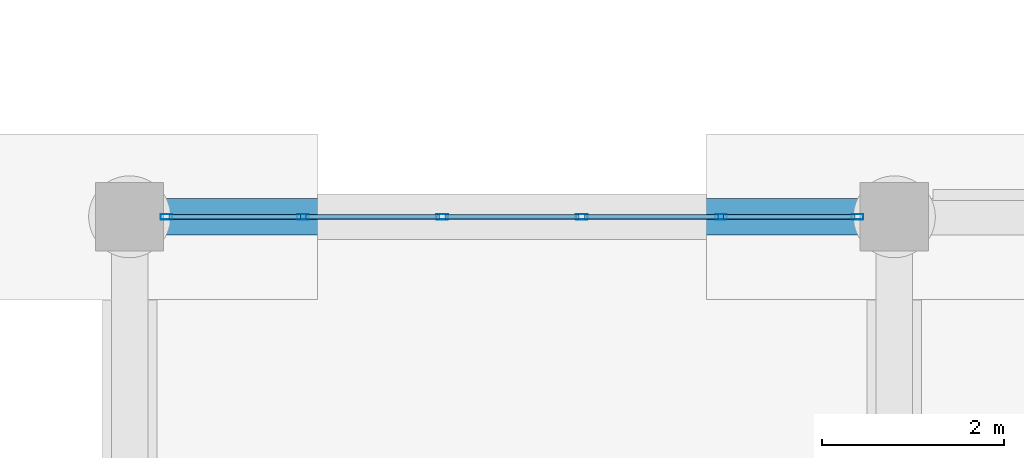
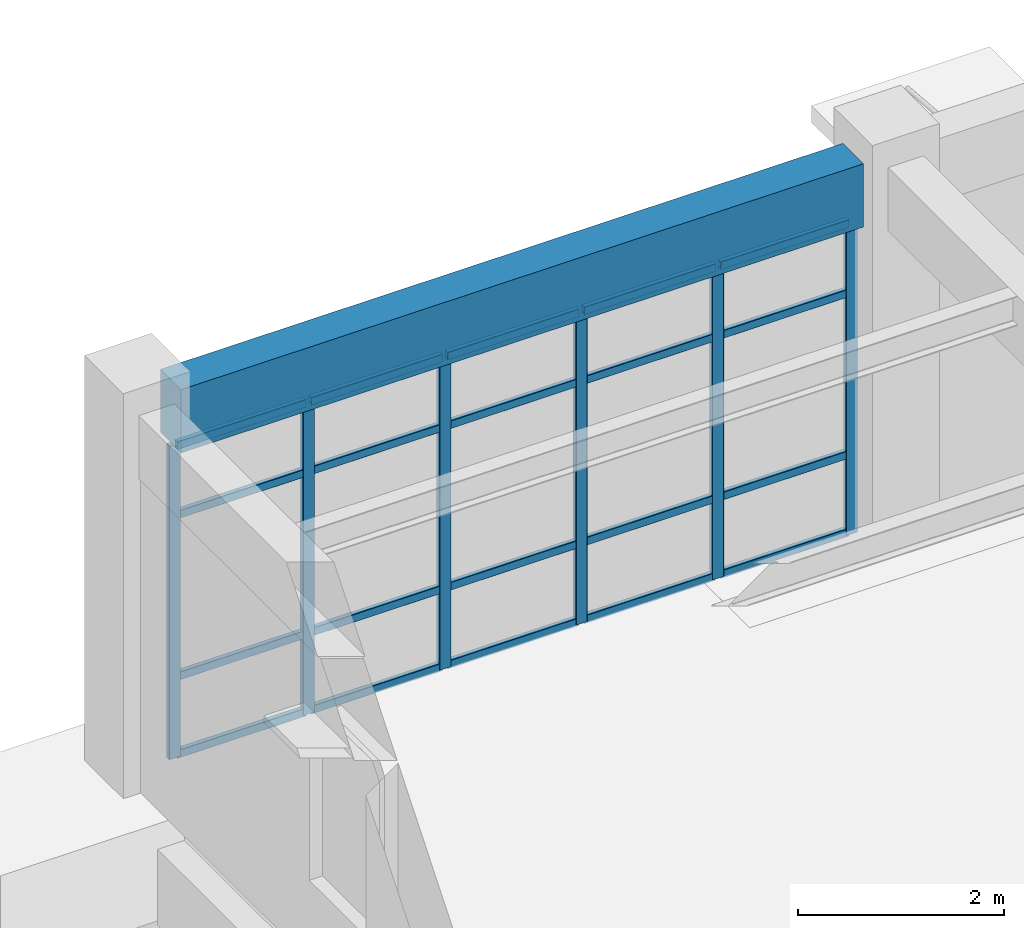
# One storey, part 4 of 29: 26 members, 1 beam, 1 element without a shape of its own.
"""IFC4 building model written with IfcOpenShell, lengths in metres."""

import ifcopenshell
import ifcopenshell.guid

model = None  # the IFC model being written
_history = None  # IfcOwnerHistory: only IFC2X3 demands one
_inside = {}  # id of a spatial element -> (the spatial element, [elements in it])
_under = {}  # id of a project, library or spatial element -> (it, [spatial elements below it])
_declared = {}  # id of a project -> (the project, [libraries it declares])
_typed = {}  # id of a type object -> (the type object, [elements of that type])
_made_of = {}  # id of a material, layer set ... -> (it, [elements and type objects made of it])


def new_model(schema):
    """Start an empty IFC model of exactly this schema.

    Asked for "IFC4X3", IfcOpenShell would pick the latest addendum, in which some entities
    have other attributes; the version numbers below select the first issue.
    IFC2X3 requires an IfcOwnerHistory on every rooted entity: one is made here for all.
    """
    global model, _history
    if schema == "IFC4X3":
        model = ifcopenshell.file(schema_version=(4, 3, 0, 0))
    else:
        model = ifcopenshell.file(schema=schema)
    _inside.clear()
    _under.clear()
    _declared.clear()
    _typed.clear()
    _made_of.clear()
    _history = None
    if model.schema == "IFC2X3":
        org = make("IfcOrganization", Name="unknown")
        user = make(
            "IfcPersonAndOrganization",
            ThePerson=make("IfcPerson", FamilyName="unknown"),
            TheOrganization=org,
        )
        app = make(
            "IfcApplication",
            ApplicationDeveloper=org,
            Version="unknown",
            ApplicationFullName="unknown",
            ApplicationIdentifier="unknown",
        )
        _history = make(
            "IfcOwnerHistory",
            OwningUser=user,
            OwningApplication=app,
            ChangeAction="ADDED",
            CreationDate=0,
        )
    return model


def make(cls, **values):
    """One entity of the class cls with the attributes given. An attribute that is None is left unset."""
    return model.create_entity(
        cls, **{name: value for name, value in values.items() if value is not None}
    )


def rooted(cls, **values):
    """An entity with a GlobalId (a new one), such as an element, a storey or a relation."""
    return make(cls, GlobalId=ifcopenshell.guid.new(), OwnerHistory=_history, **values)


def si_unit(unit_type, name, prefix=None):
    """IfcSIUnit, for example si_unit("LENGTHUNIT", "METRE", prefix="MILLI")."""
    return make("IfcSIUnit", UnitType=unit_type, Prefix=prefix, Name=name)


def assignment(units):
    """IfcUnitAssignment: the units of a project."""
    return None if units is None else make("IfcUnitAssignment", Units=units)


def point(xyz):
    """IfcCartesianPoint."""
    return None if xyz is None else make("IfcCartesianPoint", Coordinates=xyz)


def direction(xyz):
    """IfcDirection."""
    return None if xyz is None else make("IfcDirection", DirectionRatios=xyz)


def frame(location, z_axis=None, x_axis=None):
    """IfcAxis2Placement3D, a coordinate frame: its origin and axes. An axis left out is left unset."""
    return make(
        "IfcAxis2Placement3D",
        Location=point(location),
        Axis=direction(z_axis),
        RefDirection=direction(x_axis),
    )


def frame_2d(location, x_axis=None):
    """IfcAxis2Placement2D, a coordinate frame in the plane: its origin and x axis."""
    return make(
        "IfcAxis2Placement2D", Location=point(location), RefDirection=direction(x_axis)
    )


def origin():
    """The frame at (0, 0, 0) with its axes left unset."""
    return frame((0.0, 0.0, 0.0))


def origin_2d():
    """The frame at (0, 0) in the plane with its x axis left unset."""
    return frame_2d((0.0, 0.0))


def place(relative_to, where):
    """IfcLocalPlacement: puts the frame where relative to a parent placement (None: the world)."""
    return make(
        "IfcLocalPlacement", PlacementRelTo=relative_to, RelativePlacement=where
    )


def context(
    kind, dimensions, precision=None, world=None, true_north=None, identifier=None
):
    """IfcGeometricRepresentationContext, for example the 3D "Model" context."""
    return make(
        "IfcGeometricRepresentationContext",
        ContextIdentifier=identifier,
        ContextType=kind,
        CoordinateSpaceDimension=dimensions,
        Precision=precision,
        WorldCoordinateSystem=world,
        TrueNorth=true_north,
    )


def subcontext(parent, identifier, kind, view, scale=None):
    """IfcGeometricRepresentationSubContext, for example "Body" below "Model"."""
    return make(
        "IfcGeometricRepresentationSubContext",
        ContextIdentifier=identifier,
        ContextType=kind,
        ParentContext=parent,
        TargetScale=scale,
        TargetView=view,
    )


def project(units=None, contexts=None):
    """IfcProject with its units and contexts."""
    return rooted(
        "IfcProject",
        Name="project",
        RepresentationContexts=contexts,
        UnitsInContext=assignment(units),
    )


def spatial(cls, under=None, at=None, **own):
    """A site, building, storey or space (cls), placed at a placement, below another one or the project."""
    s = rooted(cls, ObjectPlacement=at, **own)
    if under is not None:
        _under.setdefault(under.id(), (under, []))[1].append(s)
    return s


def profile(cls, at=None, kind="AREA", **sizes):
    """A parametric profile (cls). Its sizes go by their IFC names, for example OverallWidth=200.0."""
    return make(cls, ProfileType=kind, Position=at, **sizes)


def rectangle(**sizes):
    """IfcRectangleProfileDef."""
    return profile("IfcRectangleProfileDef", **sizes)


def hollow_rectangle(**sizes):
    """IfcRectangleHollowProfileDef."""
    return profile("IfcRectangleHollowProfileDef", **sizes)


def extrude(swept, where, along, depth):
    """IfcExtrudedAreaSolid: the profile swept, set in the frame where, extruded along a direction by depth."""
    return make(
        "IfcExtrudedAreaSolid",
        SweptArea=swept,
        Position=where,
        ExtrudedDirection=direction(along),
        Depth=depth,
    )


def shape(context_of_items, identifier, shape_type, items):
    """IfcShapeRepresentation: the items that make up one representation, for example the "Body"."""
    return make(
        "IfcShapeRepresentation",
        ContextOfItems=context_of_items,
        RepresentationIdentifier=identifier,
        RepresentationType=shape_type,
        Items=items,
    )


def material(Name=None, Category=None):
    """IfcMaterial."""
    return make("IfcMaterial", Name=Name, Category=Category)


def material_profile(
    of_material, cross_section, Name=None, Category=None, Priority=None
):
    """IfcMaterialProfile: a cross section and its material."""
    return make(
        "IfcMaterialProfile",
        Name=Name,
        Material=of_material,
        Profile=cross_section,
        Priority=Priority,
        Category=Category,
    )


def profile_set(profiles, Name=None, composite=None):
    """IfcMaterialProfileSet."""
    return make(
        "IfcMaterialProfileSet",
        Name=Name,
        MaterialProfiles=profiles,
        CompositeProfile=composite,
    )


def made_of(thing, what):
    """Note that an element or type object is made of a material, layer set ...; save() writes the relation."""
    if what is not None:
        _made_of.setdefault(what.id(), (what, []))[1].append(thing)
    return thing


def type_object(cls, material=None, **own):
    """A type object (cls), such as IfcWallType, which elements share."""
    return made_of(rooted(cls, **own), material)


def element(
    cls,
    number,
    at=None,
    inside=None,
    cuts=None,
    type_object=None,
    material=None,
    context=None,
    identifier="Body",
    shape_type=None,
    held_by="IfcProductDefinitionShape",
    body=None,
    shapes=None,
    **own,
):
    """One element of the class cls, such as IfcWall. Its Tag is "e" and its number.

    at: its placement. inside: the storey or other place that contains it. cuts: it is an
    opening in that element (IfcRelVoidsElement). A single representation is given by context,
    identifier, shape_type and body (its items); several are given by shapes. held_by: the class
    of the entity that holds the representations. save() writes the other relations.
    """
    e = rooted(cls, Tag="e%d" % number, ObjectPlacement=at, **own)
    if body is not None:
        shapes = [shape(context, identifier, shape_type, body)]
    if shapes is not None:
        e.Representation = make(held_by, Representations=shapes)
    if inside is not None:
        _inside.setdefault(inside.id(), (inside, []))[1].append(e)
    if cuts is not None:
        rooted(
            "IfcRelVoidsElement", RelatingBuildingElement=cuts, RelatedOpeningElement=e
        )
    if type_object is not None:
        _typed.setdefault(type_object.id(), (type_object, []))[1].append(e)
    return made_of(e, material)


def aggregate(whole, parts):
    """IfcRelAggregates: a whole, such as a stair, and the parts it consists of."""
    return rooted("IfcRelAggregates", RelatingObject=whole, RelatedObjects=parts)


def save(model, path):
    """Write the relations noted so far, then the file.

    IfcRelAggregates (storeys below a building ...), IfcRelContainedInSpatialStructure (elements
    in a storey), IfcRelDefinesByType, IfcRelAssociatesMaterial and IfcRelDeclares: one each for
    every whole, place, type object, material and project.
    """
    for whole, parts in _under.values():
        aggregate(whole, parts)
    for where, things in _inside.values():
        rooted(
            "IfcRelContainedInSpatialStructure",
            RelatedElements=things,
            RelatingStructure=where,
        )
    for kind, things in _typed.values():
        rooted("IfcRelDefinesByType", RelatedObjects=things, RelatingType=kind)
    for what, things in _made_of.values():
        rooted("IfcRelAssociatesMaterial", RelatedObjects=things, RelatingMaterial=what)
    for by, libraries in _declared.values():
        rooted("IfcRelDeclares", RelatingContext=by, RelatedDefinitions=libraries)
    model.write(path)


model = new_model("IFC4")

# Units and contexts
model_context = context("Model", 3, precision=1e-05, world=origin(), true_north=direction((0.0, 1.0)))
body_context = subcontext(model_context, "Body", "Model", "MODEL_VIEW")
ifc_project = project(units=[si_unit("LENGTHUNIT", "METRE"), si_unit("AREAUNIT", "SQUARE_METRE"), si_unit("VOLUMEUNIT", "CUBIC_METRE"), si_unit("PLANEANGLEUNIT", "RADIAN"), si_unit("MASSUNIT", "GRAM", prefix="KILO")], contexts=[model_context])

# Site, building, storey
site_placement = place(None, origin())
site = spatial("IfcSite", under=ifc_project, at=site_placement, CompositionType="ELEMENT")
building_placement = place(site_placement, origin())
building = spatial("IfcBuilding", under=site, at=building_placement, Name="Canglan Escarpment Cableway Terminal", CompositionType="ELEMENT")
storey_placement = place(building_placement, origin())
storey = spatial("IfcBuildingStorey", under=building, at=storey_placement, Name="L00", CompositionType="ELEMENT", Elevation=0.0)

# Curtain wall, members
ifc_material_1 = material(Name="Anodized bronze aluminium and Low-E double glazing", Category="aluminium")
curtain_wall_type = type_object("IfcCurtainWallType", Name="CW-BAY-7650x3725", PredefinedType="NOTDEFINED", material=ifc_material_1)
curtain_wall_placement = place(storey_placement, origin())
curtain_wall = element("IfcCurtainWall", 1, at=curtain_wall_placement, inside=storey, type_object=curtain_wall_type, Name="Classical bay-between-piers glazed curtain wall CW-01", PredefinedType="NOTDEFINED")
ifc_material_2 = material(Name="Thermally broken anodized aluminium 6063-T6", Category="aluminium")
ifc_material_profile_1 = material_profile(ifc_material_2, hollow_rectangle(XDim=0.06005859375, YDim=0.1298828125, WallThickness=0.0029296875, InnerFilletRadius=0.0029296875, OuterFilletRadius=0.006103515625, at=origin_2d()), Name="ALU-MULL 60x130x3")
ifc_profile_set_1 = profile_set([ifc_material_profile_1], Name="Thermally broken anodized aluminium 6063-T6")
member_type_1 = type_object("IfcMemberType", Name="CWM-01", PredefinedType="MULLION", material=ifc_profile_set_1)
member_1_placement = place(storey_placement, frame((15.9951171875, 24.800048828125, 0.0), z_axis=(0.0, 0.0, 1.0), x_axis=(0.0, -1.0, 0.0)))
member_1 = element("IfcMember", 2, at=member_1_placement, type_object=member_type_1, Name="CW-01 mullion 1", PredefinedType="MULLION", context=body_context, shape_type="SweptSolid", body=[
    extrude(hollow_rectangle(XDim=0.06005859375, YDim=0.1298828125, WallThickness=0.0029296875, InnerFilletRadius=0.0029296875, OuterFilletRadius=0.006103515625, at=origin_2d()), origin(), (0.0, 0.0, 1.0), 3.715087890625),
])
member_2_placement = place(storey_placement, frame((14.4951171875, 24.800048828125, 0.0), z_axis=(0.0, 0.0, 1.0), x_axis=(0.0, -1.0, 0.0)))
member_2 = element("IfcMember", 3, at=member_2_placement, type_object=member_type_1, Name="CW-01 mullion 2", PredefinedType="MULLION", context=body_context, shape_type="SweptSolid", body=[
    extrude(hollow_rectangle(XDim=0.06005859375, YDim=0.1298828125, WallThickness=0.0029296875, InnerFilletRadius=0.0029296875, OuterFilletRadius=0.006103515625, at=origin_2d()), origin(), (0.0, 0.0, 1.0), 3.715087890625),
])
member_3_placement = place(storey_placement, frame((12.965087890625, 24.800048828125, 0.0), z_axis=(0.0, 0.0, 1.0), x_axis=(0.0, -1.0, 0.0)))
member_3 = element("IfcMember", 4, at=member_3_placement, type_object=member_type_1, Name="CW-01 mullion 3", PredefinedType="MULLION", context=body_context, shape_type="SweptSolid", body=[
    extrude(hollow_rectangle(XDim=0.06005859375, YDim=0.1298828125, WallThickness=0.0029296875, InnerFilletRadius=0.0029296875, OuterFilletRadius=0.006103515625, at=origin_2d()), origin(), (0.0, 0.0, 1.0), 3.715087890625),
])
member_4_placement = place(storey_placement, frame((11.43505859375, 24.800048828125, 0.0), z_axis=(0.0, 0.0, 1.0), x_axis=(0.0, -1.0, 0.0)))
member_4 = element("IfcMember", 5, at=member_4_placement, type_object=member_type_1, Name="CW-01 mullion 4", PredefinedType="MULLION", context=body_context, shape_type="SweptSolid", body=[
    extrude(hollow_rectangle(XDim=0.06005859375, YDim=0.1298828125, WallThickness=0.0029296875, InnerFilletRadius=0.0029296875, OuterFilletRadius=0.006103515625, at=origin_2d()), origin(), (0.0, 0.0, 1.0), 3.715087890625),
])
member_5_placement = place(storey_placement, frame((9.905029296875, 24.800048828125, 0.0), z_axis=(0.0, 0.0, 1.0), x_axis=(0.0, -1.0, 0.0)))
member_5 = element("IfcMember", 6, at=member_5_placement, type_object=member_type_1, Name="CW-01 mullion 5", PredefinedType="MULLION", context=body_context, shape_type="SweptSolid", body=[
    extrude(hollow_rectangle(XDim=0.06005859375, YDim=0.1298828125, WallThickness=0.0029296875, InnerFilletRadius=0.0029296875, OuterFilletRadius=0.006103515625, at=origin_2d()), origin(), (0.0, 0.0, 1.0), 3.715087890625),
])
member_6_placement = place(storey_placement, frame((8.405029296875, 24.800048828125, 0.0), z_axis=(0.0, 0.0, 1.0), x_axis=(0.0, -1.0, 0.0)))
member_6 = element("IfcMember", 7, at=member_6_placement, type_object=member_type_1, Name="CW-01 mullion 6", PredefinedType="MULLION", context=body_context, shape_type="SweptSolid", body=[
    extrude(hollow_rectangle(XDim=0.06005859375, YDim=0.1298828125, WallThickness=0.0029296875, InnerFilletRadius=0.0029296875, OuterFilletRadius=0.006103515625, at=origin_2d()), origin(), (0.0, 0.0, 1.0), 3.715087890625),
])
ifc_material_profile_2 = material_profile(ifc_material_2, hollow_rectangle(XDim=0.054931640625, YDim=0.094970703125, WallThickness=0.0029296875, InnerFilletRadius=0.0029296875, OuterFilletRadius=0.006103515625, at=origin_2d()), Name="ALU-TRAN 55x95x3")
ifc_profile_set_2 = profile_set([ifc_material_profile_2], Name="Thermally broken anodized aluminium 6063-T6")
member_type_2 = type_object("IfcMemberType", Name="CWT-01", PredefinedType="USERDEFINED", material=ifc_profile_set_2)
member_7_placement = place(storey_placement, frame((15.965087890625, 24.800048828125, 0.027587890625), z_axis=(-1.0, 0.0, 0.0), x_axis=(0.0, -1.0, 0.0)))
member_7 = element("IfcMember", 8, at=member_7_placement, type_object=member_type_2, Name="CW-01 transom 1.1", ObjectType="TRANSOM", PredefinedType="USERDEFINED", context=body_context, shape_type="SweptSolid", body=[
    extrude(hollow_rectangle(XDim=0.054931640625, YDim=0.094970703125, WallThickness=0.0029296875, InnerFilletRadius=0.0029296875, OuterFilletRadius=0.006103515625, at=origin_2d()), origin(), (0.0, 0.0, 1.0), 1.440185546875),
])
member_8_placement = place(storey_placement, frame((15.965087890625, 24.800048828125, 0.949951171875), z_axis=(-1.0, 0.0, 0.0), x_axis=(0.0, -1.0, 0.0)))
member_8 = element("IfcMember", 9, at=member_8_placement, type_object=member_type_2, Name="CW-01 transom 1.2", ObjectType="TRANSOM", PredefinedType="USERDEFINED", context=body_context, shape_type="SweptSolid", body=[
    extrude(hollow_rectangle(XDim=0.054931640625, YDim=0.094970703125, WallThickness=0.0029296875, InnerFilletRadius=0.0029296875, OuterFilletRadius=0.006103515625, at=origin_2d()), origin(), (0.0, 0.0, 1.0), 1.440185546875),
])
member_9_placement = place(storey_placement, frame((15.965087890625, 24.800048828125, 2.864990234375), z_axis=(-1.0, 0.0, 0.0), x_axis=(0.0, -1.0, 0.0)))
member_9 = element("IfcMember", 10, at=member_9_placement, type_object=member_type_2, Name="CW-01 transom 1.3", ObjectType="TRANSOM", PredefinedType="USERDEFINED", context=body_context, shape_type="SweptSolid", body=[
    extrude(hollow_rectangle(XDim=0.054931640625, YDim=0.094970703125, WallThickness=0.0029296875, InnerFilletRadius=0.0029296875, OuterFilletRadius=0.006103515625, at=origin_2d()), origin(), (0.0, 0.0, 1.0), 1.440185546875),
])
member_10_placement = place(storey_placement, frame((15.965087890625, 24.800048828125, 3.6875), z_axis=(-1.0, 0.0, 0.0), x_axis=(0.0, -1.0, 0.0)))
member_10 = element("IfcMember", 11, at=member_10_placement, type_object=member_type_2, Name="CW-01 transom 1.4", ObjectType="TRANSOM", PredefinedType="USERDEFINED", context=body_context, shape_type="SweptSolid", body=[
    extrude(hollow_rectangle(XDim=0.054931640625, YDim=0.094970703125, WallThickness=0.0029296875, InnerFilletRadius=0.0029296875, OuterFilletRadius=0.006103515625, at=origin_2d()), origin(), (0.0, 0.0, 1.0), 1.440185546875),
])
member_11_placement = place(storey_placement, frame((14.465087890625, 24.800048828125, 0.027587890625), z_axis=(-1.0, 0.0, 0.0), x_axis=(0.0, -1.0, 0.0)))
member_11 = element("IfcMember", 12, at=member_11_placement, type_object=member_type_2, Name="CW-01 transom 2.1", ObjectType="TRANSOM", PredefinedType="USERDEFINED", context=body_context, shape_type="SweptSolid", body=[
    extrude(hollow_rectangle(XDim=0.054931640625, YDim=0.094970703125, WallThickness=0.0029296875, InnerFilletRadius=0.0029296875, OuterFilletRadius=0.006103515625, at=origin_2d()), origin(), (0.0, 0.0, 1.0), 1.469970703125),
])
member_12_placement = place(storey_placement, frame((14.465087890625, 24.800048828125, 0.949951171875), z_axis=(-1.0, 0.0, 0.0), x_axis=(0.0, -1.0, 0.0)))
member_12 = element("IfcMember", 13, at=member_12_placement, type_object=member_type_2, Name="CW-01 transom 2.2", ObjectType="TRANSOM", PredefinedType="USERDEFINED", context=body_context, shape_type="SweptSolid", body=[
    extrude(hollow_rectangle(XDim=0.054931640625, YDim=0.094970703125, WallThickness=0.0029296875, InnerFilletRadius=0.0029296875, OuterFilletRadius=0.006103515625, at=origin_2d()), origin(), (0.0, 0.0, 1.0), 1.469970703125),
])
member_13_placement = place(storey_placement, frame((14.465087890625, 24.800048828125, 2.864990234375), z_axis=(-1.0, 0.0, 0.0), x_axis=(0.0, -1.0, 0.0)))
member_13 = element("IfcMember", 14, at=member_13_placement, type_object=member_type_2, Name="CW-01 transom 2.3", ObjectType="TRANSOM", PredefinedType="USERDEFINED", context=body_context, shape_type="SweptSolid", body=[
    extrude(hollow_rectangle(XDim=0.054931640625, YDim=0.094970703125, WallThickness=0.0029296875, InnerFilletRadius=0.0029296875, OuterFilletRadius=0.006103515625, at=origin_2d()), origin(), (0.0, 0.0, 1.0), 1.469970703125),
])
member_14_placement = place(storey_placement, frame((14.465087890625, 24.800048828125, 3.6875), z_axis=(-1.0, 0.0, 0.0), x_axis=(0.0, -1.0, 0.0)))
member_14 = element("IfcMember", 15, at=member_14_placement, type_object=member_type_2, Name="CW-01 transom 2.4", ObjectType="TRANSOM", PredefinedType="USERDEFINED", context=body_context, shape_type="SweptSolid", body=[
    extrude(hollow_rectangle(XDim=0.054931640625, YDim=0.094970703125, WallThickness=0.0029296875, InnerFilletRadius=0.0029296875, OuterFilletRadius=0.006103515625, at=origin_2d()), origin(), (0.0, 0.0, 1.0), 1.469970703125),
])
member_15_placement = place(storey_placement, frame((12.93505859375, 24.800048828125, 0.027587890625), z_axis=(-1.0, 0.0, 0.0), x_axis=(0.0, -1.0, 0.0)))
member_15 = element("IfcMember", 16, at=member_15_placement, type_object=member_type_2, Name="CW-01 transom 3.1", ObjectType="TRANSOM", PredefinedType="USERDEFINED", context=body_context, shape_type="SweptSolid", body=[
    extrude(hollow_rectangle(XDim=0.054931640625, YDim=0.094970703125, WallThickness=0.0029296875, InnerFilletRadius=0.0029296875, OuterFilletRadius=0.006103515625, at=origin_2d()), origin(), (0.0, 0.0, 1.0), 1.469970703125),
])
member_16_placement = place(storey_placement, frame((12.93505859375, 24.800048828125, 0.949951171875), z_axis=(-1.0, 0.0, 0.0), x_axis=(0.0, -1.0, 0.0)))
member_16 = element("IfcMember", 17, at=member_16_placement, type_object=member_type_2, Name="CW-01 transom 3.2", ObjectType="TRANSOM", PredefinedType="USERDEFINED", context=body_context, shape_type="SweptSolid", body=[
    extrude(hollow_rectangle(XDim=0.054931640625, YDim=0.094970703125, WallThickness=0.0029296875, InnerFilletRadius=0.0029296875, OuterFilletRadius=0.006103515625, at=origin_2d()), origin(), (0.0, 0.0, 1.0), 1.469970703125),
])
member_17_placement = place(storey_placement, frame((12.93505859375, 24.800048828125, 2.864990234375), z_axis=(-1.0, 0.0, 0.0), x_axis=(0.0, -1.0, 0.0)))
member_17 = element("IfcMember", 18, at=member_17_placement, type_object=member_type_2, Name="CW-01 transom 3.3", ObjectType="TRANSOM", PredefinedType="USERDEFINED", context=body_context, shape_type="SweptSolid", body=[
    extrude(hollow_rectangle(XDim=0.054931640625, YDim=0.094970703125, WallThickness=0.0029296875, InnerFilletRadius=0.0029296875, OuterFilletRadius=0.006103515625, at=origin_2d()), origin(), (0.0, 0.0, 1.0), 1.469970703125),
])
member_18_placement = place(storey_placement, frame((12.93505859375, 24.800048828125, 3.6875), z_axis=(-1.0, 0.0, 0.0), x_axis=(0.0, -1.0, 0.0)))
member_18 = element("IfcMember", 19, at=member_18_placement, type_object=member_type_2, Name="CW-01 transom 3.4", ObjectType="TRANSOM", PredefinedType="USERDEFINED", context=body_context, shape_type="SweptSolid", body=[
    extrude(hollow_rectangle(XDim=0.054931640625, YDim=0.094970703125, WallThickness=0.0029296875, InnerFilletRadius=0.0029296875, OuterFilletRadius=0.006103515625, at=origin_2d()), origin(), (0.0, 0.0, 1.0), 1.469970703125),
])
member_19_placement = place(storey_placement, frame((11.405029296875, 24.800048828125, 0.027587890625), z_axis=(-1.0, 0.0, 0.0), x_axis=(0.0, -1.0, 0.0)))
member_19 = element("IfcMember", 20, at=member_19_placement, type_object=member_type_2, Name="CW-01 transom 4.1", ObjectType="TRANSOM", PredefinedType="USERDEFINED", context=body_context, shape_type="SweptSolid", body=[
    extrude(hollow_rectangle(XDim=0.054931640625, YDim=0.094970703125, WallThickness=0.0029296875, InnerFilletRadius=0.0029296875, OuterFilletRadius=0.006103515625, at=origin_2d()), origin(), (0.0, 0.0, 1.0), 1.469970703125),
])
member_20_placement = place(storey_placement, frame((11.405029296875, 24.800048828125, 0.949951171875), z_axis=(-1.0, 0.0, 0.0), x_axis=(0.0, -1.0, 0.0)))
member_20 = element("IfcMember", 21, at=member_20_placement, type_object=member_type_2, Name="CW-01 transom 4.2", ObjectType="TRANSOM", PredefinedType="USERDEFINED", context=body_context, shape_type="SweptSolid", body=[
    extrude(hollow_rectangle(XDim=0.054931640625, YDim=0.094970703125, WallThickness=0.0029296875, InnerFilletRadius=0.0029296875, OuterFilletRadius=0.006103515625, at=origin_2d()), origin(), (0.0, 0.0, 1.0), 1.469970703125),
])
member_21_placement = place(storey_placement, frame((11.405029296875, 24.800048828125, 2.864990234375), z_axis=(-1.0, 0.0, 0.0), x_axis=(0.0, -1.0, 0.0)))
member_21 = element("IfcMember", 22, at=member_21_placement, type_object=member_type_2, Name="CW-01 transom 4.3", ObjectType="TRANSOM", PredefinedType="USERDEFINED", context=body_context, shape_type="SweptSolid", body=[
    extrude(hollow_rectangle(XDim=0.054931640625, YDim=0.094970703125, WallThickness=0.0029296875, InnerFilletRadius=0.0029296875, OuterFilletRadius=0.006103515625, at=origin_2d()), origin(), (0.0, 0.0, 1.0), 1.469970703125),
])
member_22_placement = place(storey_placement, frame((11.405029296875, 24.800048828125, 3.6875), z_axis=(-1.0, 0.0, 0.0), x_axis=(0.0, -1.0, 0.0)))
member_22 = element("IfcMember", 23, at=member_22_placement, type_object=member_type_2, Name="CW-01 transom 4.4", ObjectType="TRANSOM", PredefinedType="USERDEFINED", context=body_context, shape_type="SweptSolid", body=[
    extrude(hollow_rectangle(XDim=0.054931640625, YDim=0.094970703125, WallThickness=0.0029296875, InnerFilletRadius=0.0029296875, OuterFilletRadius=0.006103515625, at=origin_2d()), origin(), (0.0, 0.0, 1.0), 1.469970703125),
])
member_23_placement = place(storey_placement, frame((9.875, 24.800048828125, 0.027587890625), z_axis=(-1.0, 0.0, 0.0), x_axis=(0.0, -1.0, 0.0)))
member_23 = element("IfcMember", 24, at=member_23_placement, type_object=member_type_2, Name="CW-01 transom 5.1", ObjectType="TRANSOM", PredefinedType="USERDEFINED", context=body_context, shape_type="SweptSolid", body=[
    extrude(hollow_rectangle(XDim=0.054931640625, YDim=0.094970703125, WallThickness=0.0029296875, InnerFilletRadius=0.0029296875, OuterFilletRadius=0.006103515625, at=origin_2d()), origin(), (0.0, 0.0, 1.0), 1.43994140625),
])
member_24_placement = place(storey_placement, frame((9.875, 24.800048828125, 0.949951171875), z_axis=(-1.0, 0.0, 0.0), x_axis=(0.0, -1.0, 0.0)))
member_24 = element("IfcMember", 25, at=member_24_placement, type_object=member_type_2, Name="CW-01 transom 5.2", ObjectType="TRANSOM", PredefinedType="USERDEFINED", context=body_context, shape_type="SweptSolid", body=[
    extrude(hollow_rectangle(XDim=0.054931640625, YDim=0.094970703125, WallThickness=0.0029296875, InnerFilletRadius=0.0029296875, OuterFilletRadius=0.006103515625, at=origin_2d()), origin(), (0.0, 0.0, 1.0), 1.43994140625),
])
member_25_placement = place(storey_placement, frame((9.875, 24.800048828125, 2.864990234375), z_axis=(-1.0, 0.0, 0.0), x_axis=(0.0, -1.0, 0.0)))
member_25 = element("IfcMember", 26, at=member_25_placement, type_object=member_type_2, Name="CW-01 transom 5.3", ObjectType="TRANSOM", PredefinedType="USERDEFINED", context=body_context, shape_type="SweptSolid", body=[
    extrude(hollow_rectangle(XDim=0.054931640625, YDim=0.094970703125, WallThickness=0.0029296875, InnerFilletRadius=0.0029296875, OuterFilletRadius=0.006103515625, at=origin_2d()), origin(), (0.0, 0.0, 1.0), 1.43994140625),
])
member_26_placement = place(storey_placement, frame((9.875, 24.800048828125, 3.6875), z_axis=(-1.0, 0.0, 0.0), x_axis=(0.0, -1.0, 0.0)))
member_26 = element("IfcMember", 27, at=member_26_placement, type_object=member_type_2, Name="CW-01 transom 5.4", ObjectType="TRANSOM", PredefinedType="USERDEFINED", context=body_context, shape_type="SweptSolid", body=[
    extrude(hollow_rectangle(XDim=0.054931640625, YDim=0.094970703125, WallThickness=0.0029296875, InnerFilletRadius=0.0029296875, OuterFilletRadius=0.006103515625, at=origin_2d()), origin(), (0.0, 0.0, 1.0), 1.43994140625),
])
aggregate(curtain_wall, [member_1, member_2, member_3, member_4, member_5, member_6, member_7, member_8, member_9, member_10, member_11, member_12, member_13, member_14, member_15, member_16, member_17, member_18, member_19, member_20, member_21, member_22, member_23, member_24, member_25, member_26])

# Beam
ifc_material_3 = material(Name="Concrete C40", Category="concrete")
ifc_material_profile_3 = material_profile(ifc_material_3, rectangle(XDim=0.39990234375, YDim=0.75, at=origin_2d()), Name="RC 400x750")
ifc_profile_set_3 = profile_set([ifc_material_profile_3], Name="Concrete C40")
beam_type = type_object("IfcBeamType", Name="SP-RC400x750", PredefinedType="SPANDREL", material=ifc_profile_set_3)
beam_placement = place(storey_placement, frame((8.375, 24.800048828125, 4.10498046875), z_axis=(1.0, 0.0, 0.0), x_axis=(0.0, 1.0, 0.0)))
element("IfcBeam", 28, at=beam_placement, inside=storey, type_object=beam_type, Name="Primary structural girder SP-01", PredefinedType="SPANDREL", context=body_context, shape_type="SweptSolid", body=[
    extrude(rectangle(XDim=0.39990234375, YDim=0.75, at=origin_2d()), origin(), (0.0, 0.0, 1.0), 7.64990234375),
])

save(model, "model.ifc")
